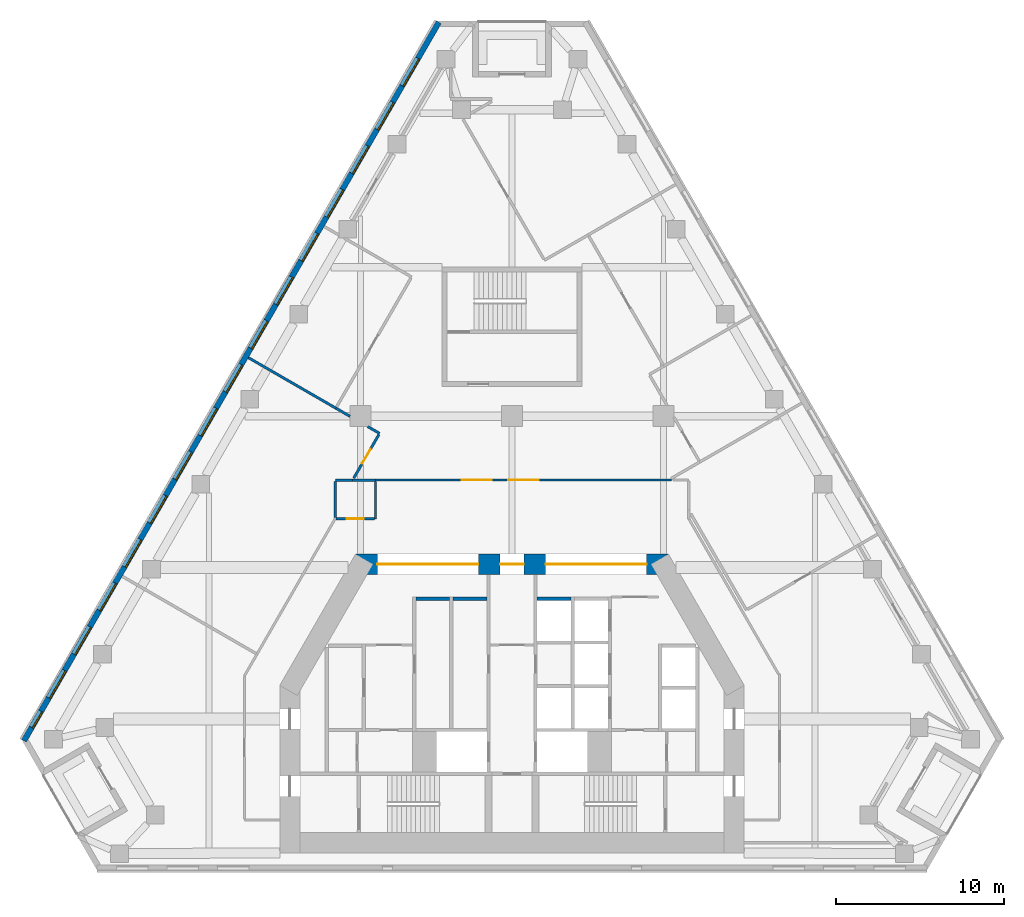
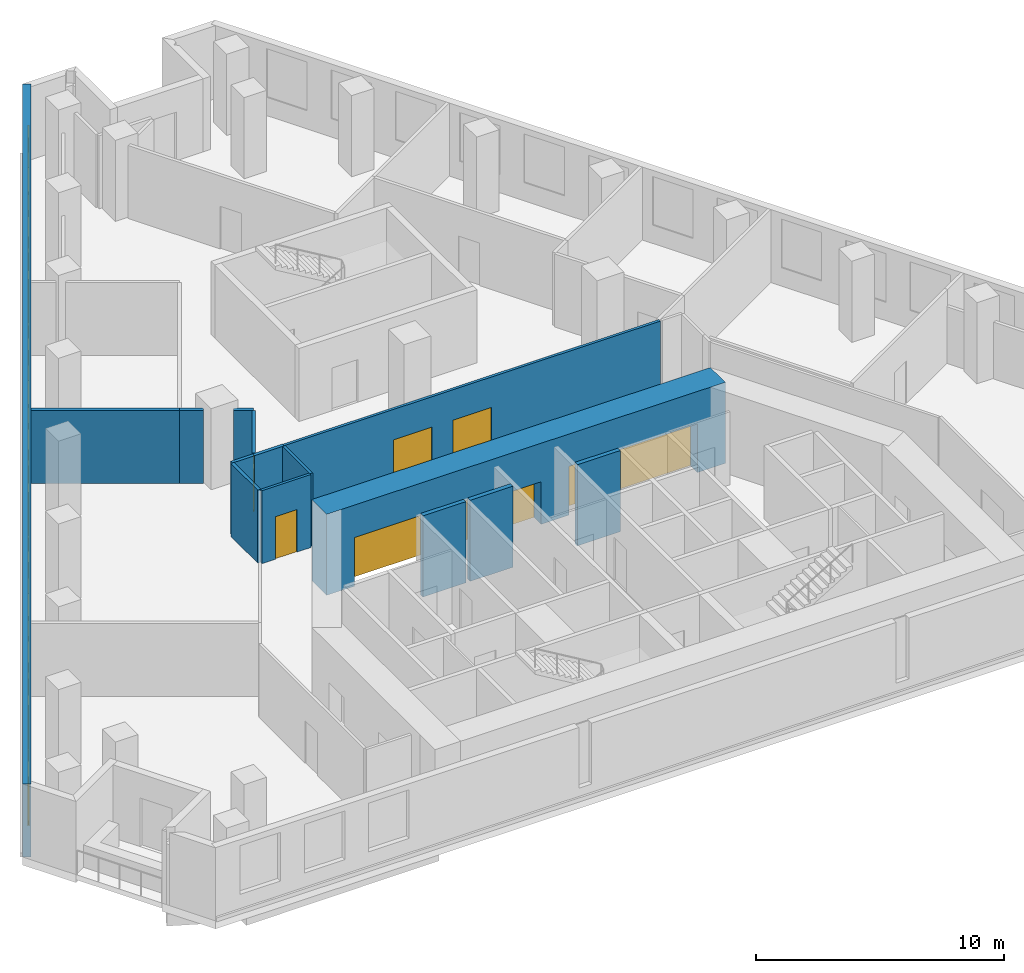
# One storey, part 5 of 9: 16 windows, 15 walls, 7 doors, 23 openings.
"""IFC4 building model written with IfcOpenShell, lengths in metres."""

from ifc_helpers import new_model, si_unit, direction, frame, frame_2d, origin, place, context, subcontext, project, spatial, rectangle, extrude, material, layer, layer_set, type_object, element, fill, save


model = new_model("IFC4")

# Units and contexts
model_context = context("Model", 3, precision=1e-05, world=origin(), true_north=direction((0.0, 1.0)))
body_context = subcontext(model_context, "Body", "Model", "MODEL_VIEW")
ifc_project = project(units=[si_unit("LENGTHUNIT", "METRE"), si_unit("AREAUNIT", "SQUARE_METRE"), si_unit("VOLUMEUNIT", "CUBIC_METRE"), si_unit("PLANEANGLEUNIT", "RADIAN"), si_unit("MASSUNIT", "GRAM", prefix="KILO")], contexts=[model_context])

# Site, building, storey
site_placement = place(None, origin())
site = spatial("IfcSite", under=ifc_project, at=site_placement, CompositionType="ELEMENT")
building_placement = place(site_placement, origin())
building = spatial("IfcBuilding", under=site, at=building_placement, Name="Fogline Exchange Tower", CompositionType="ELEMENT")
storey_placement = place(building_placement, frame((0.0, 0.0, 142.89990234375)))
storey = spatial("IfcBuildingStorey", under=building, at=storey_placement, Name="L31", CompositionType="ELEMENT", Elevation=142.89990234375)

# Walls
ifc_material_1 = material(Name="Concrete C40", Category="concrete")
ifc_layer_1 = layer(ifc_material_1, 0.199951171875)
ifc_layer_set_1 = layer_set([ifc_layer_1], Name="CW20S")
wall_type_1 = type_object("IfcWallType", Name="CW20S", PredefinedType="SOLIDWALL", material=ifc_layer_set_1)
for number, where, z_axis, x_axis, name in (
    (1, (-5.699951171875, 16.14990234375, -0.39990234375), (0.0, 0.0, 1.0), (1.0, 0.0, 0.0), "Lift shaft wall"),
    (2, (-3.5, 16.14990234375, -0.39990234375), (0.0, 0.0, 1.0), (1.0, 0.0, 0.0), "Lift shaft wall"),
    (3, (1.5, 16.14990234375, -0.39990234375), (0.0, 0.0, 1.0), (1.0, 0.0, 0.0), "Lift shaft wall"),
):
    element("IfcWall", number, at=place(storey_placement, frame(where, z_axis=z_axis, x_axis=x_axis)), inside=storey, type_object=wall_type_1, Name=name, PredefinedType="SOLIDWALL", context=body_context, shape_type="SweptSolid", body=[
        extrude(rectangle(XDim=2.0, YDim=0.199951171875, at=frame_2d((1.0, 0.0))), origin(), (0.0, 0.0, 1.0), 4.0),
    ])

# Wall, openings, windows
ifc_material_2 = material(Name="Brick masonry", Category="masonry")
ifc_layer_2 = layer(ifc_material_2, 0.340087890625)
ifc_layer_set_2 = layer_set([ifc_layer_2], Name="FW1")
wall_type_2 = type_object("IfcWallType", Name="FW1", PredefinedType="SOLIDWALL", material=ifc_layer_set_2)
wall_1_placement = place(storey_placement, frame((-4.352783203125, 50.401611328125, 0.0), z_axis=(0.0, 0.0, 1.0), x_axis=(-0.499999677325, -0.866025590081, 0.0)))
wall_1 = element("IfcWall", 4, at=wall_1_placement, inside=storey, type_object=wall_type_2, Name="Brick wall L31 W", PredefinedType="SOLIDWALL", context=body_context, shape_type="SweptSolid", body=[
    extrude(rectangle(XDim=49.296875, YDim=0.340087890625, at=frame_2d((24.6484375, 0.0))), origin(), (0.0, 0.0, 1.0), 3.60009765625),
])
opening_1_placement = place(wall_1_placement, frame((2.47265625, 0.0, 0.89990234375)))
opening_1 = element("IfcOpeningElement", 5, at=opening_1_placement, cuts=wall_1, Name="Opening W1", PredefinedType="OPENING", context=body_context, shape_type="SweptSolid", body=[
    extrude(rectangle(XDim=1.885009765625, YDim=2.39990234375, at=frame_2d((0.9423828125, 1.199951171875))), frame((0.0, 0.18017578125, 0.0), z_axis=(0.0, -1.0, 0.0), x_axis=(1.0, 0.0, 0.0)), (0.0, 0.0, 1.0), 0.360107421875),
])
opening_2_placement = place(wall_1_placement, frame((5.47265625, 0.0, 0.89990234375)))
opening_2 = element("IfcOpeningElement", 6, at=opening_2_placement, cuts=wall_1, Name="Opening W1", PredefinedType="OPENING", context=body_context, shape_type="SweptSolid", body=[
    extrude(rectangle(XDim=1.885009765625, YDim=2.39990234375, at=frame_2d((0.9423828125, 1.199951171875))), frame((0.0, 0.18017578125, 0.0), z_axis=(0.0, -1.0, 0.0), x_axis=(1.0, 0.0, 0.0)), (0.0, 0.0, 1.0), 0.360107421875),
])
opening_3_placement = place(wall_1_placement, frame((8.47265625, 0.0, 0.89990234375)))
opening_3 = element("IfcOpeningElement", 7, at=opening_3_placement, cuts=wall_1, Name="Opening W1", PredefinedType="OPENING", context=body_context, shape_type="SweptSolid", body=[
    extrude(rectangle(XDim=1.885009765625, YDim=2.39990234375, at=frame_2d((0.9423828125, 1.199951171875))), frame((0.0, 0.18017578125, 0.0), z_axis=(0.0, -1.0, 0.0), x_axis=(1.0, 0.0, 0.0)), (0.0, 0.0, 1.0), 0.360107421875),
])
opening_4_placement = place(wall_1_placement, frame((11.47265625, 0.0, 0.89990234375)))
opening_4 = element("IfcOpeningElement", 8, at=opening_4_placement, cuts=wall_1, Name="Opening W1", PredefinedType="OPENING", context=body_context, shape_type="SweptSolid", body=[
    extrude(rectangle(XDim=1.885009765625, YDim=2.39990234375, at=frame_2d((0.9423828125, 1.199951171875))), frame((0.0, 0.18017578125, 0.0), z_axis=(0.0, -1.0, 0.0), x_axis=(1.0, 0.0, 0.0)), (0.0, 0.0, 1.0), 0.360107421875),
])
opening_5_placement = place(wall_1_placement, frame((14.47265625, 0.0, 0.89990234375)))
opening_5 = element("IfcOpeningElement", 9, at=opening_5_placement, cuts=wall_1, Name="Opening W1", PredefinedType="OPENING", context=body_context, shape_type="SweptSolid", body=[
    extrude(rectangle(XDim=1.885009765625, YDim=2.39990234375, at=frame_2d((0.9423828125, 1.199951171875))), frame((0.0, 0.18017578125, 0.0), z_axis=(0.0, -1.0, 0.0), x_axis=(1.0, 0.0, 0.0)), (0.0, 0.0, 1.0), 0.360107421875),
])
opening_6_placement = place(wall_1_placement, frame((17.47265625, 0.0, 0.89990234375)))
opening_6 = element("IfcOpeningElement", 10, at=opening_6_placement, cuts=wall_1, Name="Opening W1", PredefinedType="OPENING", context=body_context, shape_type="SweptSolid", body=[
    extrude(rectangle(XDim=1.885009765625, YDim=2.39990234375, at=frame_2d((0.9423828125, 1.199951171875))), frame((0.0, 0.18017578125, 0.0), z_axis=(0.0, -1.0, 0.0), x_axis=(1.0, 0.0, 0.0)), (0.0, 0.0, 1.0), 0.360107421875),
])
opening_7_placement = place(wall_1_placement, frame((20.47265625, 0.0, 0.89990234375)))
opening_7 = element("IfcOpeningElement", 11, at=opening_7_placement, cuts=wall_1, Name="Opening W1", PredefinedType="OPENING", context=body_context, shape_type="SweptSolid", body=[
    extrude(rectangle(XDim=1.885009765625, YDim=2.39990234375, at=frame_2d((0.9423828125, 1.199951171875))), frame((0.0, 0.18017578125, 0.0), z_axis=(0.0, -1.0, 0.0), x_axis=(1.0, 0.0, 0.0)), (0.0, 0.0, 1.0), 0.360107421875),
])
opening_8_placement = place(wall_1_placement, frame((23.47265625, 0.0, 0.89990234375)))
opening_8 = element("IfcOpeningElement", 12, at=opening_8_placement, cuts=wall_1, Name="Opening W1", PredefinedType="OPENING", context=body_context, shape_type="SweptSolid", body=[
    extrude(rectangle(XDim=1.885009765625, YDim=2.39990234375, at=frame_2d((0.9423828125, 1.199951171875))), frame((0.0, 0.18017578125, 0.0), z_axis=(0.0, -1.0, 0.0), x_axis=(1.0, 0.0, 0.0)), (0.0, 0.0, 1.0), 0.360107421875),
])
opening_9_placement = place(wall_1_placement, frame((26.47265625, 0.0, 0.89990234375)))
opening_9 = element("IfcOpeningElement", 13, at=opening_9_placement, cuts=wall_1, Name="Opening W1", PredefinedType="OPENING", context=body_context, shape_type="SweptSolid", body=[
    extrude(rectangle(XDim=1.885009765625, YDim=2.39990234375, at=frame_2d((0.9423828125, 1.199951171875))), frame((0.0, 0.18017578125, 0.0), z_axis=(0.0, -1.0, 0.0), x_axis=(1.0, 0.0, 0.0)), (0.0, 0.0, 1.0), 0.360107421875),
])
opening_10_placement = place(wall_1_placement, frame((29.47265625, 0.0, 0.89990234375)))
opening_10 = element("IfcOpeningElement", 14, at=opening_10_placement, cuts=wall_1, Name="Opening W1", PredefinedType="OPENING", context=body_context, shape_type="SweptSolid", body=[
    extrude(rectangle(XDim=1.885009765625, YDim=2.39990234375, at=frame_2d((0.9423828125, 1.199951171875))), frame((0.0, 0.18017578125, 0.0), z_axis=(0.0, -1.0, 0.0), x_axis=(1.0, 0.0, 0.0)), (0.0, 0.0, 1.0), 0.360107421875),
])
opening_11_placement = place(wall_1_placement, frame((32.47265625, 0.0, 0.89990234375)))
opening_11 = element("IfcOpeningElement", 15, at=opening_11_placement, cuts=wall_1, Name="Opening W1", PredefinedType="OPENING", context=body_context, shape_type="SweptSolid", body=[
    extrude(rectangle(XDim=1.885009765625, YDim=2.39990234375, at=frame_2d((0.9423828125, 1.199951171875))), frame((0.0, 0.18017578125, 0.0), z_axis=(0.0, -1.0, 0.0), x_axis=(1.0, 0.0, 0.0)), (0.0, 0.0, 1.0), 0.360107421875),
])
opening_12_placement = place(wall_1_placement, frame((35.47265625, 0.0, 0.89990234375)))
opening_12 = element("IfcOpeningElement", 16, at=opening_12_placement, cuts=wall_1, Name="Opening W1", PredefinedType="OPENING", context=body_context, shape_type="SweptSolid", body=[
    extrude(rectangle(XDim=1.885009765625, YDim=2.39990234375, at=frame_2d((0.9423828125, 1.199951171875))), frame((0.0, 0.18017578125, 0.0), z_axis=(0.0, -1.0, 0.0), x_axis=(1.0, 0.0, 0.0)), (0.0, 0.0, 1.0), 0.360107421875),
])
opening_13_placement = place(wall_1_placement, frame((38.47265625, 0.0, 0.89990234375)))
opening_13 = element("IfcOpeningElement", 17, at=opening_13_placement, cuts=wall_1, Name="Opening W1", PredefinedType="OPENING", context=body_context, shape_type="SweptSolid", body=[
    extrude(rectangle(XDim=1.885009765625, YDim=2.39990234375, at=frame_2d((0.9423828125, 1.199951171875))), frame((0.0, 0.18017578125, 0.0), z_axis=(0.0, -1.0, 0.0), x_axis=(1.0, 0.0, 0.0)), (0.0, 0.0, 1.0), 0.360107421875),
])
opening_14_placement = place(wall_1_placement, frame((41.47265625, 0.0, 0.89990234375)))
opening_14 = element("IfcOpeningElement", 18, at=opening_14_placement, cuts=wall_1, Name="Opening W1", PredefinedType="OPENING", context=body_context, shape_type="SweptSolid", body=[
    extrude(rectangle(XDim=1.885009765625, YDim=2.39990234375, at=frame_2d((0.9423828125, 1.199951171875))), frame((0.0, 0.18017578125, 0.0), z_axis=(0.0, -1.0, 0.0), x_axis=(1.0, 0.0, 0.0)), (0.0, 0.0, 1.0), 0.360107421875),
])
opening_15_placement = place(wall_1_placement, frame((44.47265625, 0.0, 0.89990234375)))
opening_15 = element("IfcOpeningElement", 19, at=opening_15_placement, cuts=wall_1, Name="Opening W1", PredefinedType="OPENING", context=body_context, shape_type="SweptSolid", body=[
    extrude(rectangle(XDim=1.885009765625, YDim=2.39990234375, at=frame_2d((0.9423828125, 1.199951171875))), frame((0.0, 0.18017578125, 0.0), z_axis=(0.0, -1.0, 0.0), x_axis=(1.0, 0.0, 0.0)), (0.0, 0.0, 1.0), 0.360107421875),
])
opening_16_placement = place(wall_1_placement, frame((47.269775390625, 0.0, 0.89990234375)))
opening_16 = element("IfcOpeningElement", 20, at=opening_16_placement, cuts=wall_1, Name="Opening W4", PredefinedType="OPENING", context=body_context, shape_type="SweptSolid", body=[
    extrude(rectangle(XDim=1.114990234375, YDim=2.39990234375, at=frame_2d((0.5576171875, 1.199951171875))), frame((0.0, 0.18017578125, 0.0), z_axis=(0.0, -1.0, 0.0), x_axis=(1.0, 0.0, 0.0)), (0.0, 0.0, 1.0), 0.360107421875),
])
ifc_material_3 = material(Name="Aluminium and glass", Category="aluminium")
window_type_1 = type_object("IfcWindowType", Name="W1", PartitioningType="SINGLE_PANEL", PredefinedType="WINDOW", material=ifc_material_3)
window_1_placement = place(opening_1_placement, origin())
window_1 = element("IfcWindow", 21, at=window_1_placement, inside=storey, type_object=window_type_1, Name="W1 W1", OverallHeight=2.39990234375, OverallWidth=1.885009765625, PartitioningType="SINGLE_PANEL", PredefinedType="WINDOW", context=body_context, shape_type="SweptSolid", body=[
    extrude(rectangle(XDim=1.885009765625, YDim=2.39990234375, at=frame_2d((0.9423828125, 1.199951171875))), frame((0.0, 0.110107421875, 0.0), z_axis=(0.0, -1.0, 0.0), x_axis=(1.0, 0.0, 0.0)), (0.0, 0.0, 1.0), 0.06005859375),
])
fill(opening_1, window_1)
window_2_placement = place(opening_2_placement, origin())
window_2 = element("IfcWindow", 22, at=window_2_placement, inside=storey, type_object=window_type_1, Name="W1 W1", OverallHeight=2.39990234375, OverallWidth=1.885009765625, PartitioningType="SINGLE_PANEL", PredefinedType="WINDOW", context=body_context, shape_type="SweptSolid", body=[
    extrude(rectangle(XDim=1.885009765625, YDim=2.39990234375, at=frame_2d((0.9423828125, 1.199951171875))), frame((0.0, 0.110107421875, 0.0), z_axis=(0.0, -1.0, 0.0), x_axis=(1.0, 0.0, 0.0)), (0.0, 0.0, 1.0), 0.06005859375),
])
fill(opening_2, window_2)
window_3_placement = place(opening_3_placement, origin())
window_3 = element("IfcWindow", 23, at=window_3_placement, inside=storey, type_object=window_type_1, Name="W1 W1", OverallHeight=2.39990234375, OverallWidth=1.885009765625, PartitioningType="SINGLE_PANEL", PredefinedType="WINDOW", context=body_context, shape_type="SweptSolid", body=[
    extrude(rectangle(XDim=1.885009765625, YDim=2.39990234375, at=frame_2d((0.9423828125, 1.199951171875))), frame((0.0, 0.110107421875, 0.0), z_axis=(0.0, -1.0, 0.0), x_axis=(1.0, 0.0, 0.0)), (0.0, 0.0, 1.0), 0.06005859375),
])
fill(opening_3, window_3)
window_4_placement = place(opening_4_placement, origin())
window_4 = element("IfcWindow", 24, at=window_4_placement, inside=storey, type_object=window_type_1, Name="W1 W1", OverallHeight=2.39990234375, OverallWidth=1.885009765625, PartitioningType="SINGLE_PANEL", PredefinedType="WINDOW", context=body_context, shape_type="SweptSolid", body=[
    extrude(rectangle(XDim=1.885009765625, YDim=2.39990234375, at=frame_2d((0.9423828125, 1.199951171875))), frame((0.0, 0.110107421875, 0.0), z_axis=(0.0, -1.0, 0.0), x_axis=(1.0, 0.0, 0.0)), (0.0, 0.0, 1.0), 0.06005859375),
])
fill(opening_4, window_4)
window_5_placement = place(opening_5_placement, origin())
window_5 = element("IfcWindow", 25, at=window_5_placement, inside=storey, type_object=window_type_1, Name="W1 W1", OverallHeight=2.39990234375, OverallWidth=1.885009765625, PartitioningType="SINGLE_PANEL", PredefinedType="WINDOW", context=body_context, shape_type="SweptSolid", body=[
    extrude(rectangle(XDim=1.885009765625, YDim=2.39990234375, at=frame_2d((0.9423828125, 1.199951171875))), frame((0.0, 0.110107421875, 0.0), z_axis=(0.0, -1.0, 0.0), x_axis=(1.0, 0.0, 0.0)), (0.0, 0.0, 1.0), 0.06005859375),
])
fill(opening_5, window_5)
window_6_placement = place(opening_6_placement, origin())
window_6 = element("IfcWindow", 26, at=window_6_placement, inside=storey, type_object=window_type_1, Name="W1 W1", OverallHeight=2.39990234375, OverallWidth=1.885009765625, PartitioningType="SINGLE_PANEL", PredefinedType="WINDOW", context=body_context, shape_type="SweptSolid", body=[
    extrude(rectangle(XDim=1.885009765625, YDim=2.39990234375, at=frame_2d((0.9423828125, 1.199951171875))), frame((0.0, 0.110107421875, 0.0), z_axis=(0.0, -1.0, 0.0), x_axis=(1.0, 0.0, 0.0)), (0.0, 0.0, 1.0), 0.06005859375),
])
fill(opening_6, window_6)
window_7_placement = place(opening_7_placement, origin())
window_7 = element("IfcWindow", 27, at=window_7_placement, inside=storey, type_object=window_type_1, Name="W1 W1", OverallHeight=2.39990234375, OverallWidth=1.885009765625, PartitioningType="SINGLE_PANEL", PredefinedType="WINDOW", context=body_context, shape_type="SweptSolid", body=[
    extrude(rectangle(XDim=1.885009765625, YDim=2.39990234375, at=frame_2d((0.9423828125, 1.199951171875))), frame((0.0, 0.110107421875, 0.0), z_axis=(0.0, -1.0, 0.0), x_axis=(1.0, 0.0, 0.0)), (0.0, 0.0, 1.0), 0.06005859375),
])
fill(opening_7, window_7)
window_8_placement = place(opening_8_placement, origin())
window_8 = element("IfcWindow", 28, at=window_8_placement, inside=storey, type_object=window_type_1, Name="W1 W1", OverallHeight=2.39990234375, OverallWidth=1.885009765625, PartitioningType="SINGLE_PANEL", PredefinedType="WINDOW", context=body_context, shape_type="SweptSolid", body=[
    extrude(rectangle(XDim=1.885009765625, YDim=2.39990234375, at=frame_2d((0.9423828125, 1.199951171875))), frame((0.0, 0.110107421875, 0.0), z_axis=(0.0, -1.0, 0.0), x_axis=(1.0, 0.0, 0.0)), (0.0, 0.0, 1.0), 0.06005859375),
])
fill(opening_8, window_8)
window_9_placement = place(opening_9_placement, origin())
window_9 = element("IfcWindow", 29, at=window_9_placement, inside=storey, type_object=window_type_1, Name="W1 W1", OverallHeight=2.39990234375, OverallWidth=1.885009765625, PartitioningType="SINGLE_PANEL", PredefinedType="WINDOW", context=body_context, shape_type="SweptSolid", body=[
    extrude(rectangle(XDim=1.885009765625, YDim=2.39990234375, at=frame_2d((0.9423828125, 1.199951171875))), frame((0.0, 0.110107421875, 0.0), z_axis=(0.0, -1.0, 0.0), x_axis=(1.0, 0.0, 0.0)), (0.0, 0.0, 1.0), 0.06005859375),
])
fill(opening_9, window_9)
window_10_placement = place(opening_10_placement, origin())
window_10 = element("IfcWindow", 30, at=window_10_placement, inside=storey, type_object=window_type_1, Name="W1 W1", OverallHeight=2.39990234375, OverallWidth=1.885009765625, PartitioningType="SINGLE_PANEL", PredefinedType="WINDOW", context=body_context, shape_type="SweptSolid", body=[
    extrude(rectangle(XDim=1.885009765625, YDim=2.39990234375, at=frame_2d((0.9423828125, 1.199951171875))), frame((0.0, 0.110107421875, 0.0), z_axis=(0.0, -1.0, 0.0), x_axis=(1.0, 0.0, 0.0)), (0.0, 0.0, 1.0), 0.06005859375),
])
fill(opening_10, window_10)
window_11_placement = place(opening_11_placement, origin())
window_11 = element("IfcWindow", 31, at=window_11_placement, inside=storey, type_object=window_type_1, Name="W1 W1", OverallHeight=2.39990234375, OverallWidth=1.885009765625, PartitioningType="SINGLE_PANEL", PredefinedType="WINDOW", context=body_context, shape_type="SweptSolid", body=[
    extrude(rectangle(XDim=1.885009765625, YDim=2.39990234375, at=frame_2d((0.9423828125, 1.199951171875))), frame((0.0, 0.110107421875, 0.0), z_axis=(0.0, -1.0, 0.0), x_axis=(1.0, 0.0, 0.0)), (0.0, 0.0, 1.0), 0.06005859375),
])
fill(opening_11, window_11)
window_12_placement = place(opening_12_placement, origin())
window_12 = element("IfcWindow", 32, at=window_12_placement, inside=storey, type_object=window_type_1, Name="W1 W1", OverallHeight=2.39990234375, OverallWidth=1.885009765625, PartitioningType="SINGLE_PANEL", PredefinedType="WINDOW", context=body_context, shape_type="SweptSolid", body=[
    extrude(rectangle(XDim=1.885009765625, YDim=2.39990234375, at=frame_2d((0.9423828125, 1.199951171875))), frame((0.0, 0.110107421875, 0.0), z_axis=(0.0, -1.0, 0.0), x_axis=(1.0, 0.0, 0.0)), (0.0, 0.0, 1.0), 0.06005859375),
])
fill(opening_12, window_12)
window_13_placement = place(opening_13_placement, origin())
window_13 = element("IfcWindow", 33, at=window_13_placement, inside=storey, type_object=window_type_1, Name="W1 W1", OverallHeight=2.39990234375, OverallWidth=1.885009765625, PartitioningType="SINGLE_PANEL", PredefinedType="WINDOW", context=body_context, shape_type="SweptSolid", body=[
    extrude(rectangle(XDim=1.885009765625, YDim=2.39990234375, at=frame_2d((0.9423828125, 1.199951171875))), frame((0.0, 0.110107421875, 0.0), z_axis=(0.0, -1.0, 0.0), x_axis=(1.0, 0.0, 0.0)), (0.0, 0.0, 1.0), 0.06005859375),
])
fill(opening_13, window_13)
window_14_placement = place(opening_14_placement, origin())
window_14 = element("IfcWindow", 34, at=window_14_placement, inside=storey, type_object=window_type_1, Name="W1 W1", OverallHeight=2.39990234375, OverallWidth=1.885009765625, PartitioningType="SINGLE_PANEL", PredefinedType="WINDOW", context=body_context, shape_type="SweptSolid", body=[
    extrude(rectangle(XDim=1.885009765625, YDim=2.39990234375, at=frame_2d((0.9423828125, 1.199951171875))), frame((0.0, 0.110107421875, 0.0), z_axis=(0.0, -1.0, 0.0), x_axis=(1.0, 0.0, 0.0)), (0.0, 0.0, 1.0), 0.06005859375),
])
fill(opening_14, window_14)
window_15_placement = place(opening_15_placement, origin())
window_15 = element("IfcWindow", 35, at=window_15_placement, inside=storey, type_object=window_type_1, Name="W1 W1", OverallHeight=2.39990234375, OverallWidth=1.885009765625, PartitioningType="SINGLE_PANEL", PredefinedType="WINDOW", context=body_context, shape_type="SweptSolid", body=[
    extrude(rectangle(XDim=1.885009765625, YDim=2.39990234375, at=frame_2d((0.9423828125, 1.199951171875))), frame((0.0, 0.110107421875, 0.0), z_axis=(0.0, -1.0, 0.0), x_axis=(1.0, 0.0, 0.0)), (0.0, 0.0, 1.0), 0.06005859375),
])
fill(opening_15, window_15)
window_type_2 = type_object("IfcWindowType", Name="W4", PartitioningType="SINGLE_PANEL", PredefinedType="WINDOW", material=ifc_material_3)
window_16_placement = place(opening_16_placement, origin())
window_16 = element("IfcWindow", 36, at=window_16_placement, inside=storey, type_object=window_type_2, Name="W4 W4", OverallHeight=2.39990234375, OverallWidth=1.114990234375, PartitioningType="SINGLE_PANEL", PredefinedType="WINDOW", context=body_context, shape_type="SweptSolid", body=[
    extrude(rectangle(XDim=1.114990234375, YDim=2.39990234375, at=frame_2d((0.5576171875, 1.199951171875))), frame((0.0, 0.110107421875, 0.0), z_axis=(0.0, -1.0, 0.0), x_axis=(1.0, 0.0, 0.0)), (0.0, 0.0, 1.0), 0.06005859375),
])
fill(opening_16, window_16)

# Wall, openings, doors
ifc_material_4 = material(Name="Plasterboard corridor partition with mineral wool, 2 layers each side")
ifc_layer_3 = layer(ifc_material_4, 0.125)
ifc_layer_set_3 = layer_set([ifc_layer_3], Name="PW2")
wall_type_3 = type_object("IfcWallType", Name="PW2", PredefinedType="PARTITIONING", material=ifc_layer_set_3)
wall_2_placement = place(storey_placement, frame((-8.10009765625, 23.199951171875, 0.0), z_axis=(0.0, 0.0, 1.0), x_axis=(1.0, 0.0, 0.0)))
wall_2 = element("IfcWall", 37, at=wall_2_placement, inside=storey, type_object=wall_type_3, Name="wall-L31-W006", PredefinedType="PARTITIONING", context=body_context, shape_type="SweptSolid", body=[
    extrude(rectangle(XDim=17.569091796875, YDim=0.125, at=frame_2d((8.78466796875, 0.0))), origin(), (0.0, 0.0, 1.0), 3.60009765625),
])
opening_17_placement = place(wall_2_placement, frame((5.1083984375, 0.0, 0.0)))
opening_17 = element("IfcOpeningElement", 38, at=opening_17_placement, cuts=wall_2, Name="Opening T10-D002", PredefinedType="OPENING", context=body_context, shape_type="SweptSolid", body=[
    extrude(rectangle(XDim=1.800048828125, YDim=2.10009765625, at=frame_2d((0.89990234375, 1.050048828125))), frame((0.0, 0.072509765625, 0.0), z_axis=(0.0, -1.0, 0.0), x_axis=(1.0, 0.0, 0.0)), (0.0, 0.0, 1.0), 0.14501953125),
])
opening_18_placement = place(wall_2_placement, frame((7.884521484375, 0.0, 0.0)))
opening_18 = element("IfcOpeningElement", 39, at=opening_18_placement, cuts=wall_2, Name="Opening T10-D003", PredefinedType="OPENING", context=body_context, shape_type="SweptSolid", body=[
    extrude(rectangle(XDim=1.800048828125, YDim=2.10009765625, at=frame_2d((0.89990234375, 1.050048828125))), frame((0.0, 0.072509765625, 0.0), z_axis=(0.0, -1.0, 0.0), x_axis=(1.0, 0.0, 0.0)), (0.0, 0.0, 1.0), 0.14501953125),
])
ifc_material_5 = material(Name="Fire-rated timber door leaves with steel frame", Category="steel")
door_type_1 = type_object("IfcDoorType", Name="D4", OperationType="DOUBLE_DOOR_SINGLE_SWING", PredefinedType="DOOR", material=ifc_material_5)
door_1_placement = place(opening_17_placement, frame((1.800048828125, 0.0, 0.0), z_axis=(0.0, 0.0, 1.0), x_axis=(-1.0, 0.0, 0.0)))
door_1 = element("IfcDoor", 40, at=door_1_placement, inside=storey, type_object=door_type_1, Name="door-L31-D002", OperationType="DOUBLE_DOOR_SINGLE_SWING", OverallHeight=2.10009765625, OverallWidth=1.800048828125, PredefinedType="DOOR", context=body_context, shape_type="SweptSolid", body=[
    extrude(rectangle(XDim=1.800048828125, YDim=2.10009765625, at=frame_2d((0.89990234375, 1.050048828125))), frame((0.0, 0.02490234375, 0.0), z_axis=(0.0, -1.0, 0.0), x_axis=(1.0, 0.0, 0.0)), (0.0, 0.0, 1.0), 0.050048828125),
])
fill(opening_17, door_1)
door_2_placement = place(opening_18_placement, frame((1.800048828125, 0.0, 0.0), z_axis=(0.0, 0.0, 1.0), x_axis=(-1.0, 0.0, 0.0)))
door_2 = element("IfcDoor", 41, at=door_2_placement, inside=storey, type_object=door_type_1, Name="door-L31-D003", OperationType="DOUBLE_DOOR_SINGLE_SWING", OverallHeight=2.10009765625, OverallWidth=1.800048828125, PredefinedType="DOOR", context=body_context, shape_type="SweptSolid", body=[
    extrude(rectangle(XDim=1.800048828125, YDim=2.10009765625, at=frame_2d((0.89990234375, 1.050048828125))), frame((0.0, 0.02490234375, 0.0), z_axis=(0.0, -1.0, 0.0), x_axis=(1.0, 0.0, 0.0)), (0.0, 0.0, 1.0), 0.050048828125),
])
fill(opening_18, door_2)

# Wall, opening, door
wall_3_placement = place(storey_placement, frame((-10.453857421875, 20.89990234375, 0.0), z_axis=(0.0, 0.0, 1.0), x_axis=(1.0, 0.0, 0.0)))
wall_3 = element("IfcWall", 42, at=wall_3_placement, inside=storey, type_object=wall_type_3, Name="wall-L31-W007", PredefinedType="PARTITIONING", context=body_context, shape_type="SweptSolid", body=[
    extrude(rectangle(XDim=2.291259765625, YDim=0.125, at=frame_2d((1.1455078125, 0.0))), origin(), (0.0, 0.0, 1.0), 3.60009765625),
])
opening_19_placement = place(wall_3_placement, frame((0.645751953125, 0.0, 0.0)))
opening_19 = element("IfcOpeningElement", 43, at=opening_19_placement, cuts=wall_3, Name="Opening T10-D004", PredefinedType="OPENING", context=body_context, shape_type="SweptSolid", body=[
    extrude(rectangle(XDim=1.0, YDim=2.10009765625, at=frame_2d((0.5, 1.050048828125))), frame((0.0, 0.072509765625, 0.0), z_axis=(0.0, -1.0, 0.0), x_axis=(1.0, 0.0, 0.0)), (0.0, 0.0, 1.0), 0.14501953125),
])
ifc_material_6 = material(Name="Fire-rated timber door leaf with steel frame", Category="steel")
door_type_2 = type_object("IfcDoorType", Name="D3", OperationType="SINGLE_SWING_LEFT", PredefinedType="DOOR", material=ifc_material_6)
door_3_placement = place(opening_19_placement, origin())
door_3 = element("IfcDoor", 44, at=door_3_placement, inside=storey, type_object=door_type_2, Name="door-L31-D004", OperationType="SINGLE_SWING_LEFT", OverallHeight=2.10009765625, OverallWidth=1.0, PredefinedType="DOOR", context=body_context, shape_type="SweptSolid", body=[
    extrude(rectangle(XDim=1.0, YDim=2.10009765625, at=frame_2d((0.5, 1.050048828125))), frame((0.0, 0.02490234375, 0.0), z_axis=(0.0, -1.0, 0.0), x_axis=(1.0, 0.0, 0.0)), (0.0, 0.0, 1.0), 0.050048828125),
])
fill(opening_19, door_3)

# Walls
wall_4_placement = place(storey_placement, frame((-8.10009765625, 20.89990234375, 0.0), z_axis=(0.0, 0.0, 1.0), x_axis=(0.0, 1.0, 0.0)))
element("IfcWall", 45, at=wall_4_placement, inside=storey, type_object=wall_type_3, Name="wall-L31-W008", PredefinedType="PARTITIONING", context=body_context, shape_type="SweptSolid", body=[
    extrude(rectangle(XDim=2.224609375, YDim=0.125, at=frame_2d((1.1123046875, 0.0))), origin(), (0.0, 0.0, 1.0), 3.60009765625),
])
ifc_material_7 = material(Name="Plasterboard demising partition with mineral wool and acoustic board")
ifc_layer_4 = layer(ifc_material_7, 0.14990234375)
ifc_layer_set_4 = layer_set([ifc_layer_4], Name="PW3")
wall_type_4 = type_object("IfcWallType", Name="PW3", PredefinedType="PARTITIONING", material=ifc_layer_set_4)
wall_5_placement = place(storey_placement, frame((-8.10009765625, 23.199951171875, 0.0), z_axis=(0.0, 0.0, 1.0), x_axis=(-1.0, 0.0, 0.0)))
element("IfcWall", 46, at=wall_5_placement, inside=storey, type_object=wall_type_4, Name="wall-L31-W034", PredefinedType="PARTITIONING", context=body_context, shape_type="SweptSolid", body=[
    extrude(rectangle(XDim=1.368896484375, YDim=0.14990234375, at=frame_2d((0.6845703125, 0.0))), origin(), (0.0, 0.0, 1.0), 3.60009765625),
])

# Wall, opening, door
wall_6_placement = place(storey_placement, frame((-9.40380859375, 23.31298828125, 0.0), z_axis=(0.0, 0.0, 1.0), x_axis=(0.499988265988, 0.866032178313, 0.0)))
wall_6 = element("IfcWall", 47, at=wall_6_placement, inside=storey, type_object=wall_type_4, Name="wall-L31-W035", PredefinedType="PARTITIONING", context=body_context, shape_type="SweptSolid", body=[
    extrude(rectangle(XDim=2.99462890625, YDim=0.14990234375, at=frame_2d((1.497314453125, 0.0))), origin(), (0.0, 0.0, 1.0), 3.60009765625),
])
opening_20_placement = place(wall_6_placement, frame((0.99755859375, 0.0, 0.0)))
opening_20 = element("IfcOpeningElement", 48, at=opening_20_placement, cuts=wall_6, Name="Opening T10-D012", PredefinedType="OPENING", context=body_context, shape_type="SweptSolid", body=[
    extrude(rectangle(XDim=1.0, YDim=2.10009765625, at=frame_2d((0.5, 1.050048828125))), frame((0.0, 0.0849609375, 0.0), z_axis=(0.0, -1.0, 0.0), x_axis=(1.0, 0.0, 0.0)), (0.0, 0.0, 1.0), 0.169921875),
])
door_4_placement = place(opening_20_placement, origin())
door_4 = element("IfcDoor", 49, at=door_4_placement, inside=storey, type_object=door_type_2, Name="door-L31-D012", OperationType="SINGLE_SWING_RIGHT", OverallHeight=2.10009765625, OverallWidth=1.0, PredefinedType="DOOR", context=body_context, shape_type="SweptSolid", body=[
    extrude(rectangle(XDim=1.0, YDim=2.10009765625, at=frame_2d((0.5, 1.050048828125))), frame((0.0, 0.02490234375, 0.0), z_axis=(0.0, -1.0, 0.0), x_axis=(1.0, 0.0, 0.0)), (0.0, 0.0, 1.0), 0.050048828125),
])
fill(opening_20, door_4)

# Walls
wall_7_placement = place(storey_placement, frame((-7.868896484375, 25.971435546875, 0.0), z_axis=(0.0, 0.0, 1.0), x_axis=(-0.866019355129, 0.500010476433, 0.0)))
element("IfcWall", 50, at=wall_7_placement, inside=storey, type_object=wall_type_4, Name="wall-L31-W036", PredefinedType="PARTITIONING", context=body_context, shape_type="SweptSolid", body=[
    extrude(rectangle(XDim=0.80712890625, YDim=0.14990234375, at=frame_2d((0.403564453125, 0.0))), origin(), (0.0, 0.0, 1.0), 3.60009765625),
])
wall_8_placement = place(storey_placement, frame((-9.625, 26.9853515625, 0.0), z_axis=(0.0, 0.0, 1.0), x_axis=(-0.866055964107, 0.499947064232, 0.0)))
element("IfcWall", 51, at=wall_8_placement, inside=storey, type_object=wall_type_4, Name="wall-L31-W037", PredefinedType="PARTITIONING", context=body_context, shape_type="SweptSolid", body=[
    extrude(rectangle(XDim=0.97216796875, YDim=0.14990234375, at=frame_2d((0.486083984375, 0.0))), origin(), (0.0, 0.0, 1.0), 3.60009765625),
])
wall_9_placement = place(storey_placement, frame((-10.467041015625, 27.471435546875, 0.0), z_axis=(0.0, 0.0, 1.0), x_axis=(-0.866020924479, 0.500007758305, 0.0)))
element("IfcWall", 52, at=wall_9_placement, inside=storey, type_object=wall_type_4, Name="wall-L31-W039", PredefinedType="PARTITIONING", context=body_context, shape_type="SweptSolid", body=[
    extrude(rectangle(XDim=6.0, YDim=0.14990234375, at=frame_2d((3.0, 0.0))), origin(), (0.0, 0.0, 1.0), 3.60009765625),
])
wall_10_placement = place(storey_placement, frame((-10.5, 20.96240234375, 0.0), z_axis=(0.0, 0.0, 1.0), x_axis=(0.0, 1.0, 0.0)))
element("IfcWall", 53, at=wall_10_placement, inside=storey, type_object=wall_type_4, Name="wall-L31-W040", PredefinedType="PARTITIONING", context=body_context, shape_type="SweptSolid", body=[
    extrude(rectangle(XDim=2.16259765625, YDim=0.14990234375, at=frame_2d((1.081298828125, 0.0))), origin(), (0.0, 0.0, 1.0), 3.60009765625),
])
wall_11_placement = place(storey_placement, frame((-10.5, 23.199951171875, 0.0), z_axis=(0.0, 0.0, 1.0), x_axis=(1.0, 0.0, 0.0)))
element("IfcWall", 54, at=wall_11_placement, inside=storey, type_object=wall_type_4, Name="wall-L31-W041", PredefinedType="PARTITIONING", context=body_context, shape_type="SweptSolid", body=[
    extrude(rectangle(XDim=1.031005859375, YDim=0.14990234375, at=frame_2d((0.515625, 0.0))), origin(), (0.0, 0.0, 1.0), 3.60009765625),
])

# Wall, openings, doors
ifc_material_8 = material(Name="Concrete C60", Category="concrete")
ifc_layer_5 = layer(ifc_material_8, 1.199951171875)
ifc_layer_set_5 = layer_set([ifc_layer_5], Name="SW02")
wall_type_5 = type_object("IfcWallType", Name="SW02", PredefinedType="SHEAR", material=ifc_layer_set_5)
wall_12_placement = place(storey_placement, frame((9.296142578125, 18.199951171875, 0.0), z_axis=(0.0, 0.0, 1.0), x_axis=(-1.0, 0.0, 0.0)))
wall_12 = element("IfcWall", 55, at=wall_12_placement, inside=storey, type_object=wall_type_5, Name="L31-W904", PredefinedType="SHEAR", context=body_context, shape_type="SweptSolid", body=[
    extrude(rectangle(XDim=18.59228515625, YDim=1.199951171875, at=frame_2d((9.296142578125, 0.0))), origin(), (0.0, 0.0, 1.0), 4.0),
])
opening_21_placement = place(wall_12_placement, frame((8.59619140625, 0.0, 0.0)))
opening_21 = element("IfcOpeningElement", 56, at=opening_21_placement, cuts=wall_12, Name="Opening T10-C019", PredefinedType="OPENING", context=body_context, shape_type="SweptSolid", body=[
    extrude(rectangle(XDim=1.39990234375, YDim=2.10009765625, at=frame_2d((0.699951171875, 1.050048828125))), frame((0.0, 0.60986328125, 0.0), z_axis=(0.0, -1.0, 0.0), x_axis=(1.0, 0.0, 0.0)), (0.0, 0.0, 1.0), 1.219970703125),
])
opening_22_placement = place(wall_12_placement, frame((11.296142578125, 0.0, 0.0)))
opening_22 = element("IfcOpeningElement", 57, at=opening_22_placement, cuts=wall_12, Name="Opening T10-C020", PredefinedType="OPENING", context=body_context, shape_type="SweptSolid", body=[
    extrude(rectangle(XDim=6.0, YDim=2.39990234375, at=frame_2d((3.0, 1.199951171875))), frame((0.0, 0.60986328125, 0.0), z_axis=(0.0, -1.0, 0.0), x_axis=(1.0, 0.0, 0.0)), (0.0, 0.0, 1.0), 1.219970703125),
])
opening_23_placement = place(wall_12_placement, frame((1.296142578125, 0.0, 0.0)))
opening_23 = element("IfcOpeningElement", 58, at=opening_23_placement, cuts=wall_12, Name="Opening T10-C021", PredefinedType="OPENING", context=body_context, shape_type="SweptSolid", body=[
    extrude(rectangle(XDim=6.0, YDim=2.39990234375, at=frame_2d((3.0, 1.199951171875))), frame((0.0, 0.60986328125, 0.0), z_axis=(0.0, -1.0, 0.0), x_axis=(1.0, 0.0, 0.0)), (0.0, 0.0, 1.0), 1.219970703125),
])
ifc_material_9 = material(Name="Steel and timber fire door", Category="steel")
door_type_3 = type_object("IfcDoorType", Name="D-LB1", OperationType="DOUBLE_DOOR_SINGLE_SWING", PredefinedType="DOOR", material=ifc_material_9)
door_5_placement = place(opening_21_placement, origin())
door_5 = element("IfcDoor", 59, at=door_5_placement, inside=storey, type_object=door_type_3, Name="Protected lobby door", OperationType="DOUBLE_DOOR_SINGLE_SWING", OverallHeight=2.10009765625, OverallWidth=1.39990234375, PredefinedType="DOOR", context=body_context, shape_type="SweptSolid", body=[
    extrude(rectangle(XDim=1.39990234375, YDim=2.10009765625, at=frame_2d((0.699951171875, 1.050048828125))), frame((0.0, 0.02490234375, 0.0), z_axis=(0.0, -1.0, 0.0), x_axis=(1.0, 0.0, 0.0)), (0.0, 0.0, 1.0), 0.050048828125),
])
fill(opening_21, door_5)
door_type_4 = type_object("IfcDoorType", Name="D-LE1", OperationType="DOUBLE_DOOR_SLIDING", PredefinedType="DOOR", material=ifc_material_9)
door_6_placement = place(opening_22_placement, origin())
door_6 = element("IfcDoor", 60, at=door_6_placement, inside=storey, type_object=door_type_4, Name="Lift lobby entrance west", OperationType="DOUBLE_DOOR_SLIDING", OverallHeight=2.39990234375, OverallWidth=6.0, PredefinedType="DOOR", context=body_context, shape_type="SweptSolid", body=[
    extrude(rectangle(XDim=6.0, YDim=2.39990234375, at=frame_2d((3.0, 1.199951171875))), frame((0.0, 0.02490234375, 0.0), z_axis=(0.0, -1.0, 0.0), x_axis=(1.0, 0.0, 0.0)), (0.0, 0.0, 1.0), 0.050048828125),
])
fill(opening_22, door_6)
door_7_placement = place(opening_23_placement, origin())
door_7 = element("IfcDoor", 61, at=door_7_placement, inside=storey, type_object=door_type_4, Name="Lift lobby entrance east", OperationType="DOUBLE_DOOR_SLIDING", OverallHeight=2.39990234375, OverallWidth=6.0, PredefinedType="DOOR", context=body_context, shape_type="SweptSolid", body=[
    extrude(rectangle(XDim=6.0, YDim=2.39990234375, at=frame_2d((3.0, 1.199951171875))), frame((0.0, 0.02490234375, 0.0), z_axis=(0.0, -1.0, 0.0), x_axis=(1.0, 0.0, 0.0)), (0.0, 0.0, 1.0), 0.050048828125),
])
fill(opening_23, door_7)

save(model, "model.ifc")
